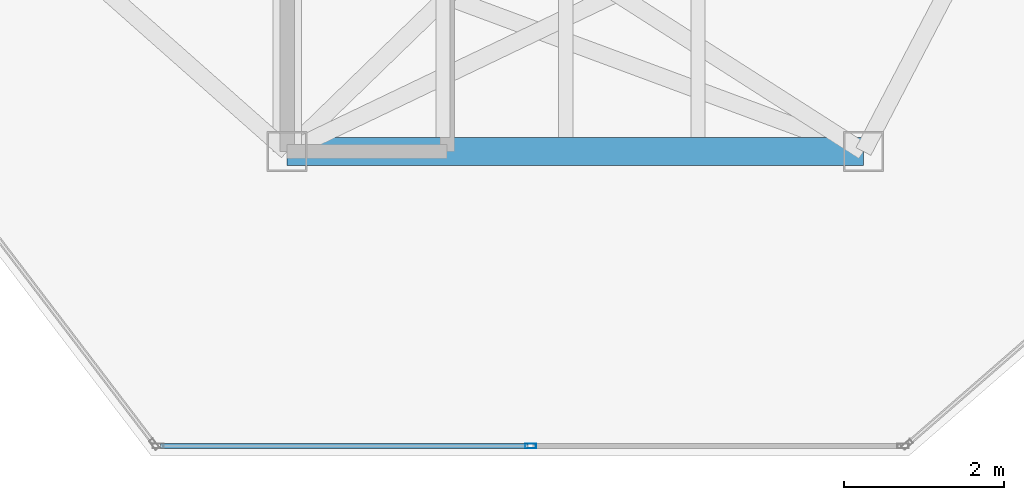
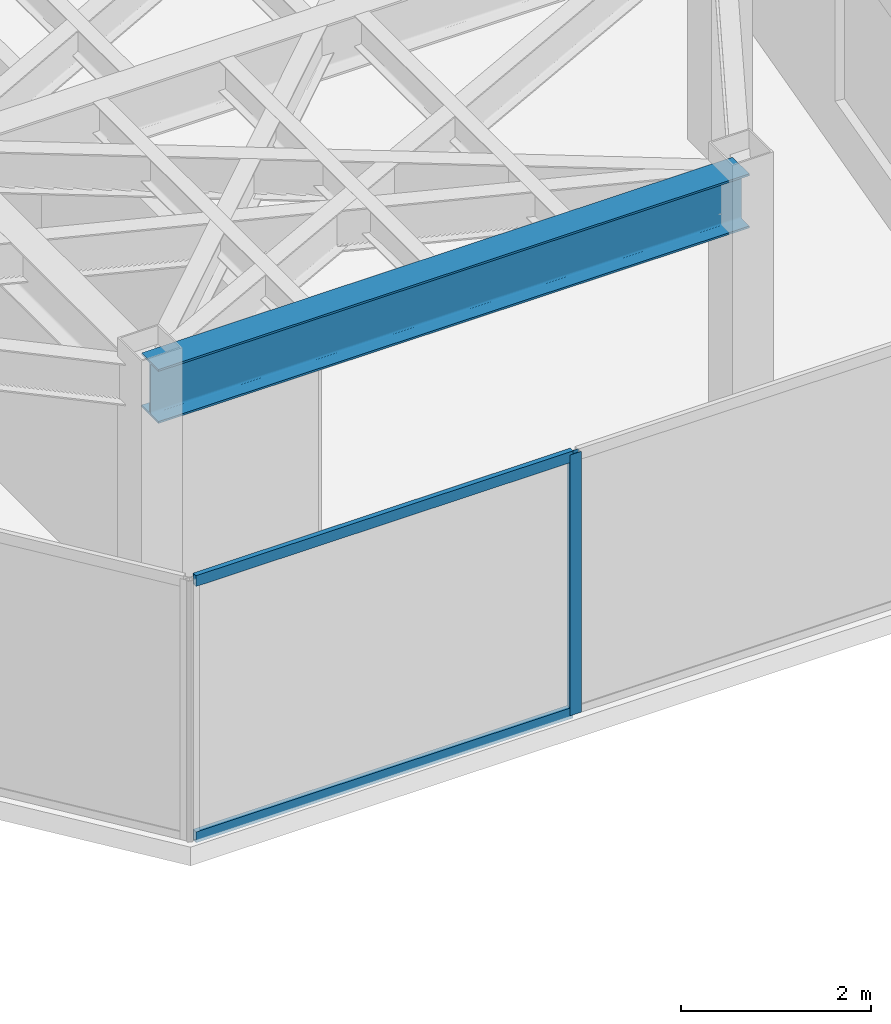
# One storey, part 7 of 19: 3 members, 1 beam, 1 element without a shape of its own.
"""IFC4 building model written with IfcOpenShell, lengths in metres."""

import ifcopenshell
import ifcopenshell.guid

model = None  # the IFC model being written
_history = None  # IfcOwnerHistory: only IFC2X3 demands one
_inside = {}  # id of a spatial element -> (the spatial element, [elements in it])
_under = {}  # id of a project, library or spatial element -> (it, [spatial elements below it])
_declared = {}  # id of a project -> (the project, [libraries it declares])
_typed = {}  # id of a type object -> (the type object, [elements of that type])
_made_of = {}  # id of a material, layer set ... -> (it, [elements and type objects made of it])


def new_model(schema):
    """Start an empty IFC model of exactly this schema.

    Asked for "IFC4X3", IfcOpenShell would pick the latest addendum, in which some entities
    have other attributes; the version numbers below select the first issue.
    IFC2X3 requires an IfcOwnerHistory on every rooted entity: one is made here for all.
    """
    global model, _history
    if schema == "IFC4X3":
        model = ifcopenshell.file(schema_version=(4, 3, 0, 0))
    else:
        model = ifcopenshell.file(schema=schema)
    _inside.clear()
    _under.clear()
    _declared.clear()
    _typed.clear()
    _made_of.clear()
    _history = None
    if model.schema == "IFC2X3":
        org = make("IfcOrganization", Name="unknown")
        user = make(
            "IfcPersonAndOrganization",
            ThePerson=make("IfcPerson", FamilyName="unknown"),
            TheOrganization=org,
        )
        app = make(
            "IfcApplication",
            ApplicationDeveloper=org,
            Version="unknown",
            ApplicationFullName="unknown",
            ApplicationIdentifier="unknown",
        )
        _history = make(
            "IfcOwnerHistory",
            OwningUser=user,
            OwningApplication=app,
            ChangeAction="ADDED",
            CreationDate=0,
        )
    return model


def make(cls, **values):
    """One entity of the class cls with the attributes given. An attribute that is None is left unset."""
    return model.create_entity(
        cls, **{name: value for name, value in values.items() if value is not None}
    )


def rooted(cls, **values):
    """An entity with a GlobalId (a new one), such as an element, a storey or a relation."""
    return make(cls, GlobalId=ifcopenshell.guid.new(), OwnerHistory=_history, **values)


def si_unit(unit_type, name, prefix=None):
    """IfcSIUnit, for example si_unit("LENGTHUNIT", "METRE", prefix="MILLI")."""
    return make("IfcSIUnit", UnitType=unit_type, Prefix=prefix, Name=name)


def assignment(units):
    """IfcUnitAssignment: the units of a project."""
    return None if units is None else make("IfcUnitAssignment", Units=units)


def point(xyz):
    """IfcCartesianPoint."""
    return None if xyz is None else make("IfcCartesianPoint", Coordinates=xyz)


def direction(xyz):
    """IfcDirection."""
    return None if xyz is None else make("IfcDirection", DirectionRatios=xyz)


def frame(location, z_axis=None, x_axis=None):
    """IfcAxis2Placement3D, a coordinate frame: its origin and axes. An axis left out is left unset."""
    return make(
        "IfcAxis2Placement3D",
        Location=point(location),
        Axis=direction(z_axis),
        RefDirection=direction(x_axis),
    )


def frame_2d(location, x_axis=None):
    """IfcAxis2Placement2D, a coordinate frame in the plane: its origin and x axis."""
    return make(
        "IfcAxis2Placement2D", Location=point(location), RefDirection=direction(x_axis)
    )


def origin():
    """The frame at (0, 0, 0) with its axes left unset."""
    return frame((0.0, 0.0, 0.0))


def origin_2d():
    """The frame at (0, 0) in the plane with its x axis left unset."""
    return frame_2d((0.0, 0.0))


def place(relative_to, where):
    """IfcLocalPlacement: puts the frame where relative to a parent placement (None: the world)."""
    return make(
        "IfcLocalPlacement", PlacementRelTo=relative_to, RelativePlacement=where
    )


def context(
    kind, dimensions, precision=None, world=None, true_north=None, identifier=None
):
    """IfcGeometricRepresentationContext, for example the 3D "Model" context."""
    return make(
        "IfcGeometricRepresentationContext",
        ContextIdentifier=identifier,
        ContextType=kind,
        CoordinateSpaceDimension=dimensions,
        Precision=precision,
        WorldCoordinateSystem=world,
        TrueNorth=true_north,
    )


def subcontext(parent, identifier, kind, view, scale=None):
    """IfcGeometricRepresentationSubContext, for example "Body" below "Model"."""
    return make(
        "IfcGeometricRepresentationSubContext",
        ContextIdentifier=identifier,
        ContextType=kind,
        ParentContext=parent,
        TargetScale=scale,
        TargetView=view,
    )


def project(units=None, contexts=None):
    """IfcProject with its units and contexts."""
    return rooted(
        "IfcProject",
        Name="project",
        RepresentationContexts=contexts,
        UnitsInContext=assignment(units),
    )


def spatial(cls, under=None, at=None, **own):
    """A site, building, storey or space (cls), placed at a placement, below another one or the project."""
    s = rooted(cls, ObjectPlacement=at, **own)
    if under is not None:
        _under.setdefault(under.id(), (under, []))[1].append(s)
    return s


def profile(cls, at=None, kind="AREA", **sizes):
    """A parametric profile (cls). Its sizes go by their IFC names, for example OverallWidth=200.0."""
    return make(cls, ProfileType=kind, Position=at, **sizes)


def hollow_rectangle(**sizes):
    """IfcRectangleHollowProfileDef."""
    return profile("IfcRectangleHollowProfileDef", **sizes)


def i_section(**sizes):
    """IfcIShapeProfileDef."""
    return profile("IfcIShapeProfileDef", **sizes)


def extrude(swept, where, along, depth):
    """IfcExtrudedAreaSolid: the profile swept, set in the frame where, extruded along a direction by depth."""
    return make(
        "IfcExtrudedAreaSolid",
        SweptArea=swept,
        Position=where,
        ExtrudedDirection=direction(along),
        Depth=depth,
    )


def shape(context_of_items, identifier, shape_type, items):
    """IfcShapeRepresentation: the items that make up one representation, for example the "Body"."""
    return make(
        "IfcShapeRepresentation",
        ContextOfItems=context_of_items,
        RepresentationIdentifier=identifier,
        RepresentationType=shape_type,
        Items=items,
    )


def material(Name=None, Category=None):
    """IfcMaterial."""
    return make("IfcMaterial", Name=Name, Category=Category)


def layer(
    of_material, thickness, ventilated=None, Name=None, Category=None, Priority=None
):
    """IfcMaterialLayer: one layer of a wall or slab, of a material (None: an air gap)."""
    return make(
        "IfcMaterialLayer",
        Material=of_material,
        LayerThickness=thickness,
        IsVentilated=ventilated,
        Name=Name,
        Category=Category,
        Priority=Priority,
    )


def layer_set(layers, Name=None):
    """IfcMaterialLayerSet."""
    return make("IfcMaterialLayerSet", MaterialLayers=layers, LayerSetName=Name)


def material_profile(
    of_material, cross_section, Name=None, Category=None, Priority=None
):
    """IfcMaterialProfile: a cross section and its material."""
    return make(
        "IfcMaterialProfile",
        Name=Name,
        Material=of_material,
        Profile=cross_section,
        Priority=Priority,
        Category=Category,
    )


def profile_set(profiles, Name=None, composite=None):
    """IfcMaterialProfileSet."""
    return make(
        "IfcMaterialProfileSet",
        Name=Name,
        MaterialProfiles=profiles,
        CompositeProfile=composite,
    )


def made_of(thing, what):
    """Note that an element or type object is made of a material, layer set ...; save() writes the relation."""
    if what is not None:
        _made_of.setdefault(what.id(), (what, []))[1].append(thing)
    return thing


def type_object(cls, material=None, **own):
    """A type object (cls), such as IfcWallType, which elements share."""
    return made_of(rooted(cls, **own), material)


def element(
    cls,
    number,
    at=None,
    inside=None,
    cuts=None,
    type_object=None,
    material=None,
    context=None,
    identifier="Body",
    shape_type=None,
    held_by="IfcProductDefinitionShape",
    body=None,
    shapes=None,
    **own,
):
    """One element of the class cls, such as IfcWall. Its Tag is "e" and its number.

    at: its placement. inside: the storey or other place that contains it. cuts: it is an
    opening in that element (IfcRelVoidsElement). A single representation is given by context,
    identifier, shape_type and body (its items); several are given by shapes. held_by: the class
    of the entity that holds the representations. save() writes the other relations.
    """
    e = rooted(cls, Tag="e%d" % number, ObjectPlacement=at, **own)
    if body is not None:
        shapes = [shape(context, identifier, shape_type, body)]
    if shapes is not None:
        e.Representation = make(held_by, Representations=shapes)
    if inside is not None:
        _inside.setdefault(inside.id(), (inside, []))[1].append(e)
    if cuts is not None:
        rooted(
            "IfcRelVoidsElement", RelatingBuildingElement=cuts, RelatedOpeningElement=e
        )
    if type_object is not None:
        _typed.setdefault(type_object.id(), (type_object, []))[1].append(e)
    return made_of(e, material)


def aggregate(whole, parts):
    """IfcRelAggregates: a whole, such as a stair, and the parts it consists of."""
    return rooted("IfcRelAggregates", RelatingObject=whole, RelatedObjects=parts)


def save(model, path):
    """Write the relations noted so far, then the file.

    IfcRelAggregates (storeys below a building ...), IfcRelContainedInSpatialStructure (elements
    in a storey), IfcRelDefinesByType, IfcRelAssociatesMaterial and IfcRelDeclares: one each for
    every whole, place, type object, material and project.
    """
    for whole, parts in _under.values():
        aggregate(whole, parts)
    for where, things in _inside.values():
        rooted(
            "IfcRelContainedInSpatialStructure",
            RelatedElements=things,
            RelatingStructure=where,
        )
    for kind, things in _typed.values():
        rooted("IfcRelDefinesByType", RelatedObjects=things, RelatingType=kind)
    for what, things in _made_of.values():
        rooted("IfcRelAssociatesMaterial", RelatedObjects=things, RelatingMaterial=what)
    for by, libraries in _declared.values():
        rooted("IfcRelDeclares", RelatingContext=by, RelatedDefinitions=libraries)
    model.write(path)


model = new_model("IFC4")

# Units and contexts
model_context = context("Model", 3, precision=1e-05, world=origin(), true_north=direction((0.0, 1.0)))
body_context = subcontext(model_context, "Body", "Model", "MODEL_VIEW")
ifc_project = project(units=[si_unit("LENGTHUNIT", "METRE"), si_unit("AREAUNIT", "SQUARE_METRE"), si_unit("VOLUMEUNIT", "CUBIC_METRE"), si_unit("PLANEANGLEUNIT", "RADIAN"), si_unit("MASSUNIT", "GRAM", prefix="KILO")], contexts=[model_context])

# Site, building, storey
site_placement = place(None, origin())
site = spatial("IfcSite", under=ifc_project, at=site_placement, CompositionType="ELEMENT")
building_placement = place(site_placement, origin())
building = spatial("IfcBuilding", under=site, at=building_placement, Name="Kravanh Interchange Tower", CompositionType="ELEMENT")
storey_placement = place(building_placement, frame((0.0, 0.0, 270.60009765625)))
storey = spatial("IfcBuildingStorey", under=building, at=storey_placement, Name="L66", CompositionType="ELEMENT", Elevation=270.60009765625)

# Curtain wall, members
ifc_material_1 = material(Name="Anodised Bronze Aluminium", Category="aluminium")
ifc_layer = layer(ifc_material_1, 0.179931640625)
ifc_layer_set = layer_set([ifc_layer], Name="Unitised Curtain Wall System CW-HTL Luxury Hotel")
curtain_wall_type = type_object("IfcCurtainWallType", Name="Unitised Curtain Wall System CW-HTL Luxury Hotel", PredefinedType="NOTDEFINED", material=ifc_layer_set)
curtain_wall_placement = place(storey_placement, origin())
curtain_wall = element("IfcCurtainWall", 1, at=curtain_wall_placement, inside=storey, type_object=curtain_wall_type, Name="L66 Unitised Curtain Wall CW-L66-03", PredefinedType="NOTDEFINED")
ifc_material_2 = material(Name="Anodised Bronze Aluminium", Category="aluminium")
ifc_material_profile_1 = material_profile(ifc_material_2, hollow_rectangle(XDim=0.06005859375, YDim=0.139892578125, WallThickness=0.00390625, at=origin_2d()), Name="ALU60X140X4")
ifc_profile_set_1 = profile_set([ifc_material_profile_1], Name="Anodised Bronze Aluminium")
member_type_1 = type_object("IfcMemberType", Name="Curtain Wall Mullion ALU60X140X4 Bronze", PredefinedType="MULLION", material=ifc_profile_set_1)
member_1_placement = place(storey_placement, frame((59.042236328125, 18.52001953125, 0.0), z_axis=(0.0, 0.0, 1.0), x_axis=(0.0, -1.0, 0.0)))
member_1 = element("IfcMember", 2, at=member_1_placement, type_object=member_type_1, Name="CW-HTL mullion 2", PredefinedType="MULLION", context=body_context, shape_type="SweptSolid", body=[
    extrude(hollow_rectangle(XDim=0.06005859375, YDim=0.139892578125, WallThickness=0.00390625, at=origin_2d()), origin(), (0.0, 0.0, 1.0), 3.35986328125),
])
ifc_material_3 = material(Name="Anodised Bronze Aluminium", Category="aluminium")
ifc_material_profile_2 = material_profile(ifc_material_3, hollow_rectangle(XDim=0.06005859375, YDim=0.139892578125, WallThickness=0.00390625, at=origin_2d()), Name="ALU60X140X4")
ifc_profile_set_2 = profile_set([ifc_material_profile_2], Name="Anodised Bronze Aluminium")
member_type_2 = type_object("IfcMemberType", Name="Curtain Wall Transom ALU60X140X4 Bronze", PredefinedType="USERDEFINED", material=ifc_profile_set_2)
member_2_placement = place(storey_placement, frame((59.01220703125, 18.52001953125, 0.02978515625), z_axis=(-1.0, 0.0, 0.0), x_axis=(0.0, -1.0, 0.0)))
member_2 = element("IfcMember", 3, at=member_2_placement, type_object=member_type_2, Name="CW-HTL transom 2.1", ObjectType="TRANSOM", PredefinedType="USERDEFINED", context=body_context, shape_type="SweptSolid", body=[
    extrude(hollow_rectangle(XDim=0.06005859375, YDim=0.139892578125, WallThickness=0.00390625, at=origin_2d()), origin(), (0.0, 0.0, 1.0), 4.5927734375),
])
member_3_placement = place(storey_placement, frame((59.01220703125, 18.52001953125, 3.329833984375), z_axis=(-1.0, 0.0, 0.0), x_axis=(0.0, -1.0, 0.0)))
member_3 = element("IfcMember", 4, at=member_3_placement, type_object=member_type_2, Name="CW-HTL transom 2.2", ObjectType="TRANSOM", PredefinedType="USERDEFINED", context=body_context, shape_type="SweptSolid", body=[
    extrude(hollow_rectangle(XDim=0.06005859375, YDim=0.139892578125, WallThickness=0.00390625, at=origin_2d()), origin(), (0.0, 0.0, 1.0), 4.5927734375),
])
aggregate(curtain_wall, [member_1, member_2, member_3])

# Beam
ifc_material_4 = material(Name="Structural Steel S355", Category="steel")
ifc_material_profile_3 = material_profile(ifc_material_4, i_section(OverallWidth=0.35498046875, OverallDepth=0.696044921875, WebThickness=0.015380859375, FlangeThickness=0.02490234375, FilletRadius=0.02392578125, at=origin_2d()), Name="W27X146")
ifc_profile_set_3 = profile_set([ifc_material_profile_3], Name="Structural Steel S355")
beam_type = type_object("IfcBeamType", Name="Floor Beam W27X146 Structural Steel S355", PredefinedType="BEAM", material=ifc_profile_set_3)
beam_placement = place(storey_placement, frame((56.0, 22.199951171875, 3.011962890625), z_axis=(1.0, 0.0, 0.0), x_axis=(0.0, 1.0, 0.0)))
element("IfcBeam", 5, at=beam_placement, inside=storey, type_object=beam_type, Name="L66 Primary Floor Girder 33", PredefinedType="BEAM", context=body_context, shape_type="SweptSolid", body=[
    extrude(i_section(OverallWidth=0.35498046875, OverallDepth=0.696044921875, WebThickness=0.015380859375, FlangeThickness=0.02490234375, FilletRadius=0.02392578125, at=origin_2d()), origin(), (0.0, 0.0, 1.0), 7.199951171875),
])

save(model, "model.ifc")
